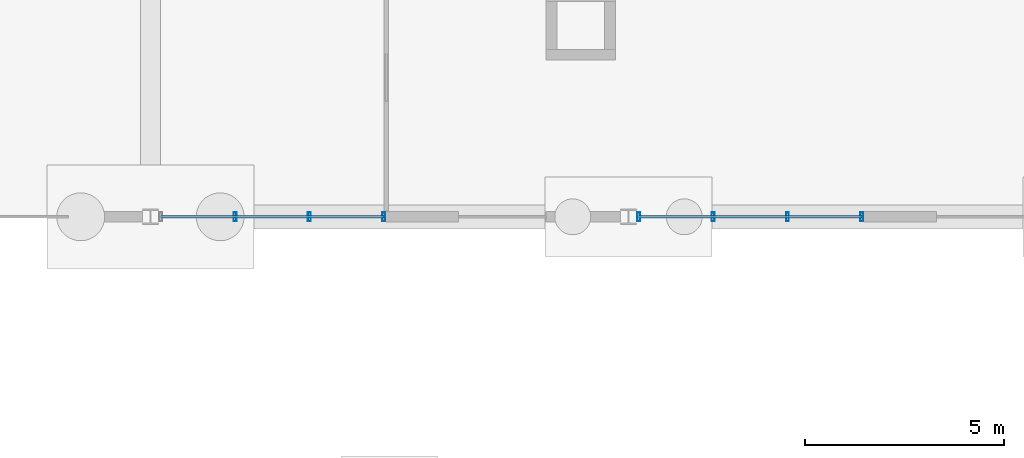
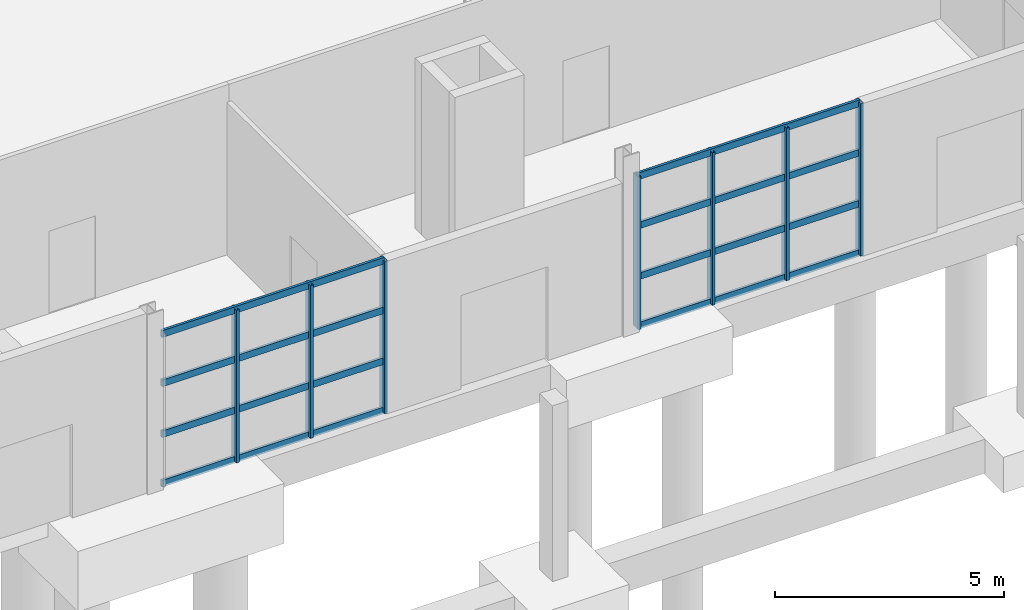
# One storey, part 25 of 82: 15 members, 2 elements without a shape of their own.
"""IFC4 building model written with IfcOpenShell, lengths in metres."""

from ifc_helpers import new_model, si_unit, direction, frame, origin, origin_2d, place, context, subcontext, project, spatial, hollow_rectangle, extrude, material, material_profile, profile_set, type_object, element, aggregate, save


model = new_model("IFC4")

# Units and contexts
model_context = context("Model", 3, precision=1e-05, world=origin(), true_north=direction((0.0, 1.0)))
body_context = subcontext(model_context, "Body", "Model", "MODEL_VIEW")
ifc_project = project(units=[si_unit("LENGTHUNIT", "METRE"), si_unit("AREAUNIT", "SQUARE_METRE"), si_unit("VOLUMEUNIT", "CUBIC_METRE"), si_unit("PLANEANGLEUNIT", "RADIAN"), si_unit("MASSUNIT", "GRAM", prefix="KILO")], contexts=[model_context])

# Site, building, storey
site_placement = place(None, origin())
site = spatial("IfcSite", under=ifc_project, at=site_placement, CompositionType="ELEMENT")
building_placement = place(site_placement, origin())
building = spatial("IfcBuilding", under=site, at=building_placement, Name="Kelmvaro Bay Concert Hall", CompositionType="ELEMENT")
storey_placement = place(building_placement, origin())
storey = spatial("IfcBuildingStorey", under=building, at=storey_placement, Name="L00", CompositionType="ELEMENT", Elevation=0.0)

# Curtain wall, members
ifc_material_1 = material(Name="Anodised Aluminium and Low-E Insulated Glazing", Category="aluminium")
curtain_wall_type = type_object("IfcCurtainWallType", Name="Foyer Ground Hurricane Curtain Wall 4400", PredefinedType="USERDEFINED", material=ifc_material_1)
curtain_wall_1_placement = place(storey_placement, origin())
curtain_wall_1 = element("IfcCurtainWall", 1, at=curtain_wall_1_placement, inside=storey, type_object=curtain_wall_type, Name="Unitised Curtain Wall CW-L00-041", ObjectType="UNITISED GLAZING", PredefinedType="USERDEFINED")
ifc_material_2 = material(Name="Anodised Extruded Aluminium 6063-T6", Category="aluminium")
ifc_material_profile_1 = material_profile(ifc_material_2, hollow_rectangle(XDim=0.074951171875, YDim=0.219970703125, WallThickness=0.00439453125, at=origin_2d()), Name="ALU-MUL-220X75")
ifc_profile_set_1 = profile_set([ifc_material_profile_1], Name="Anodised Extruded Aluminium 6063-T6")
member_type_1 = type_object("IfcMemberType", Name="Curtain Mullion Heavy ALU 220x75", PredefinedType="MULLION", material=ifc_profile_set_1)
member_1_placement = place(storey_placement, frame((65.860107421875, 7.199951171875, 0.0), z_axis=(0.0, 0.0, 1.0), x_axis=(1.0, 0.0, 0.0)))
member_1 = element("IfcMember", 2, at=member_1_placement, type_object=member_type_1, Name="CW-L00-041 Mullion 01", PredefinedType="MULLION", context=body_context, shape_type="SweptSolid", body=[
    extrude(hollow_rectangle(XDim=0.074951171875, YDim=0.219970703125, WallThickness=0.00439453125, at=origin_2d()), origin(), (0.0, 0.0, 1.0), 4.068115234375),
])
member_2_placement = place(storey_placement, frame((63.991455078125, 7.199951171875, 0.0), z_axis=(0.0, 0.0, 1.0), x_axis=(1.0, 0.0, 0.0)))
member_2 = element("IfcMember", 3, at=member_2_placement, type_object=member_type_1, Name="CW-L00-041 Mullion 02", PredefinedType="MULLION", context=body_context, shape_type="SweptSolid", body=[
    extrude(hollow_rectangle(XDim=0.074951171875, YDim=0.219970703125, WallThickness=0.00439453125, at=origin_2d()), origin(), (0.0, 0.0, 1.0), 4.068115234375),
])
member_3_placement = place(storey_placement, frame((62.123046875, 7.199951171875, 0.0), z_axis=(0.0, 0.0, 1.0), x_axis=(1.0, 0.0, 0.0)))
member_3 = element("IfcMember", 4, at=member_3_placement, type_object=member_type_1, Name="CW-L00-041 Mullion 03", PredefinedType="MULLION", context=body_context, shape_type="SweptSolid", body=[
    extrude(hollow_rectangle(XDim=0.074951171875, YDim=0.219970703125, WallThickness=0.00439453125, at=origin_2d()), origin(), (0.0, 0.0, 1.0), 4.068115234375),
])

curtain_wall_2_placement = place(storey_placement, origin())
curtain_wall_2 = element("IfcCurtainWall", 5, at=curtain_wall_2_placement, inside=storey, type_object=curtain_wall_type, Name="Unitised Curtain Wall CW-L00-042", ObjectType="UNITISED GLAZING", PredefinedType="USERDEFINED")
member_4_placement = place(storey_placement, frame((77.860107421875, 7.199951171875, 0.0), z_axis=(0.0, 0.0, 1.0), x_axis=(1.0, 0.0, 0.0)))
member_4 = element("IfcMember", 6, at=member_4_placement, type_object=member_type_1, Name="CW-L00-042 Mullion 01", PredefinedType="MULLION", context=body_context, shape_type="SweptSolid", body=[
    extrude(hollow_rectangle(XDim=0.074951171875, YDim=0.219970703125, WallThickness=0.00439453125, at=origin_2d()), origin(), (0.0, 0.0, 1.0), 4.068115234375),
])
member_5_placement = place(storey_placement, frame((75.991455078125, 7.199951171875, 0.0), z_axis=(0.0, 0.0, 1.0), x_axis=(1.0, 0.0, 0.0)))
member_5 = element("IfcMember", 7, at=member_5_placement, type_object=member_type_1, Name="CW-L00-042 Mullion 02", PredefinedType="MULLION", context=body_context, shape_type="SweptSolid", body=[
    extrude(hollow_rectangle(XDim=0.074951171875, YDim=0.219970703125, WallThickness=0.00439453125, at=origin_2d()), origin(), (0.0, 0.0, 1.0), 4.068115234375),
])
member_6_placement = place(storey_placement, frame((74.123046875, 7.199951171875, 0.0), z_axis=(0.0, 0.0, 1.0), x_axis=(1.0, 0.0, 0.0)))
member_6 = element("IfcMember", 8, at=member_6_placement, type_object=member_type_1, Name="CW-L00-042 Mullion 03", PredefinedType="MULLION", context=body_context, shape_type="SweptSolid", body=[
    extrude(hollow_rectangle(XDim=0.074951171875, YDim=0.219970703125, WallThickness=0.00439453125, at=origin_2d()), origin(), (0.0, 0.0, 1.0), 4.068115234375),
])
member_7_placement = place(storey_placement, frame((72.25439453125, 7.199951171875, 0.0), z_axis=(0.0, 0.0, 1.0), x_axis=(1.0, 0.0, 0.0)))
member_7 = element("IfcMember", 9, at=member_7_placement, type_object=member_type_1, Name="CW-L00-042 Mullion 04", PredefinedType="MULLION", context=body_context, shape_type="SweptSolid", body=[
    extrude(hollow_rectangle(XDim=0.074951171875, YDim=0.219970703125, WallThickness=0.00439453125, at=origin_2d()), origin(), (0.0, 0.0, 1.0), 4.068115234375),
])

# Member
ifc_material_3 = material(Name="Anodised Extruded Aluminium 6063-T6", Category="aluminium")
ifc_material_profile_2 = material_profile(ifc_material_3, hollow_rectangle(XDim=0.06494140625, YDim=0.179931640625, WallThickness=0.00439453125, at=origin_2d()), Name="ALU-TRN-180X65")
ifc_profile_set_2 = profile_set([ifc_material_profile_2], Name="Anodised Extruded Aluminium 6063-T6")
member_type_2 = type_object("IfcMemberType", Name="Curtain Transom Heavy ALU 180x65", PredefinedType="USERDEFINED", material=ifc_profile_set_2)
member_8_placement = place(storey_placement, frame((65.860107421875, 7.199951171875, 0.0400390625), z_axis=(-1.0, 0.0, 0.0), x_axis=(0.0, -1.0, 0.0)))
member_8 = element("IfcMember", 10, at=member_8_placement, type_object=member_type_2, Name="CW-L00-041 Transom 01", ObjectType="TRANSOM", PredefinedType="USERDEFINED", context=body_context, shape_type="SweptSolid", body=[
    extrude(hollow_rectangle(XDim=0.06494140625, YDim=0.179931640625, WallThickness=0.00439453125, at=origin_2d()), origin(), (0.0, 0.0, 1.0), 5.605712890625),
])

member_9_placement = place(storey_placement, frame((65.860107421875, 7.199951171875, 1.35595703125), z_axis=(-1.0, 0.0, 0.0), x_axis=(0.0, -1.0, 0.0)))
member_9 = element("IfcMember", 11, at=member_9_placement, type_object=member_type_2, Name="CW-L00-041 Transom 02", ObjectType="TRANSOM", PredefinedType="USERDEFINED", context=body_context, shape_type="SweptSolid", body=[
    extrude(hollow_rectangle(XDim=0.06494140625, YDim=0.179931640625, WallThickness=0.00439453125, at=origin_2d()), origin(), (0.0, 0.0, 1.0), 5.605712890625),
])

member_10_placement = place(storey_placement, frame((65.860107421875, 7.199951171875, 2.7119140625), z_axis=(-1.0, 0.0, 0.0), x_axis=(0.0, -1.0, 0.0)))
member_10 = element("IfcMember", 12, at=member_10_placement, type_object=member_type_2, Name="CW-L00-041 Transom 03", ObjectType="TRANSOM", PredefinedType="USERDEFINED", context=body_context, shape_type="SweptSolid", body=[
    extrude(hollow_rectangle(XDim=0.06494140625, YDim=0.179931640625, WallThickness=0.00439453125, at=origin_2d()), origin(), (0.0, 0.0, 1.0), 5.605712890625),
])

member_11_placement = place(storey_placement, frame((65.860107421875, 7.199951171875, 4.028076171875), z_axis=(-1.0, 0.0, 0.0), x_axis=(0.0, -1.0, 0.0)))
member_11 = element("IfcMember", 13, at=member_11_placement, type_object=member_type_2, Name="CW-L00-041 Transom 04", ObjectType="TRANSOM", PredefinedType="USERDEFINED", context=body_context, shape_type="SweptSolid", body=[
    extrude(hollow_rectangle(XDim=0.06494140625, YDim=0.179931640625, WallThickness=0.00439453125, at=origin_2d()), origin(), (0.0, 0.0, 1.0), 5.605712890625),
])

aggregate(curtain_wall_1, [member_1, member_2, member_3, member_8, member_9, member_10, member_11])

member_12_placement = place(storey_placement, frame((77.860107421875, 7.199951171875, 0.0400390625), z_axis=(-1.0, 0.0, 0.0), x_axis=(0.0, -1.0, 0.0)))
member_12 = element("IfcMember", 14, at=member_12_placement, type_object=member_type_2, Name="CW-L00-042 Transom 01", ObjectType="TRANSOM", PredefinedType="USERDEFINED", context=body_context, shape_type="SweptSolid", body=[
    extrude(hollow_rectangle(XDim=0.06494140625, YDim=0.179931640625, WallThickness=0.00439453125, at=origin_2d()), origin(), (0.0, 0.0, 1.0), 5.605712890625),
])

member_13_placement = place(storey_placement, frame((77.860107421875, 7.199951171875, 1.35595703125), z_axis=(-1.0, 0.0, 0.0), x_axis=(0.0, -1.0, 0.0)))
member_13 = element("IfcMember", 15, at=member_13_placement, type_object=member_type_2, Name="CW-L00-042 Transom 02", ObjectType="TRANSOM", PredefinedType="USERDEFINED", context=body_context, shape_type="SweptSolid", body=[
    extrude(hollow_rectangle(XDim=0.06494140625, YDim=0.179931640625, WallThickness=0.00439453125, at=origin_2d()), origin(), (0.0, 0.0, 1.0), 5.605712890625),
])

member_14_placement = place(storey_placement, frame((77.860107421875, 7.199951171875, 2.7119140625), z_axis=(-1.0, 0.0, 0.0), x_axis=(0.0, -1.0, 0.0)))
member_14 = element("IfcMember", 16, at=member_14_placement, type_object=member_type_2, Name="CW-L00-042 Transom 03", ObjectType="TRANSOM", PredefinedType="USERDEFINED", context=body_context, shape_type="SweptSolid", body=[
    extrude(hollow_rectangle(XDim=0.06494140625, YDim=0.179931640625, WallThickness=0.00439453125, at=origin_2d()), origin(), (0.0, 0.0, 1.0), 5.605712890625),
])

member_15_placement = place(storey_placement, frame((77.860107421875, 7.199951171875, 4.028076171875), z_axis=(-1.0, 0.0, 0.0), x_axis=(0.0, -1.0, 0.0)))
member_15 = element("IfcMember", 17, at=member_15_placement, type_object=member_type_2, Name="CW-L00-042 Transom 04", ObjectType="TRANSOM", PredefinedType="USERDEFINED", context=body_context, shape_type="SweptSolid", body=[
    extrude(hollow_rectangle(XDim=0.06494140625, YDim=0.179931640625, WallThickness=0.00439453125, at=origin_2d()), origin(), (0.0, 0.0, 1.0), 5.605712890625),
])

aggregate(curtain_wall_2, [member_4, member_5, member_6, member_7, member_12, member_13, member_14, member_15])

save(model, "model.ifc")
